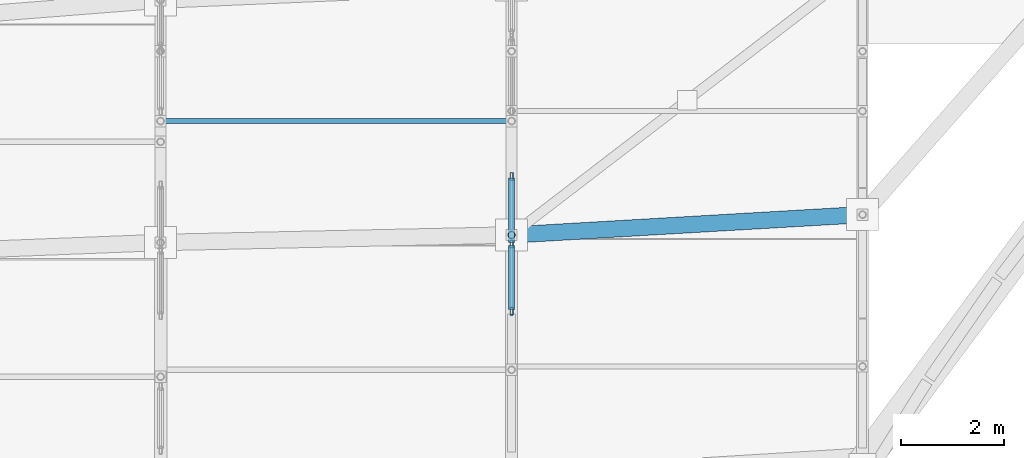
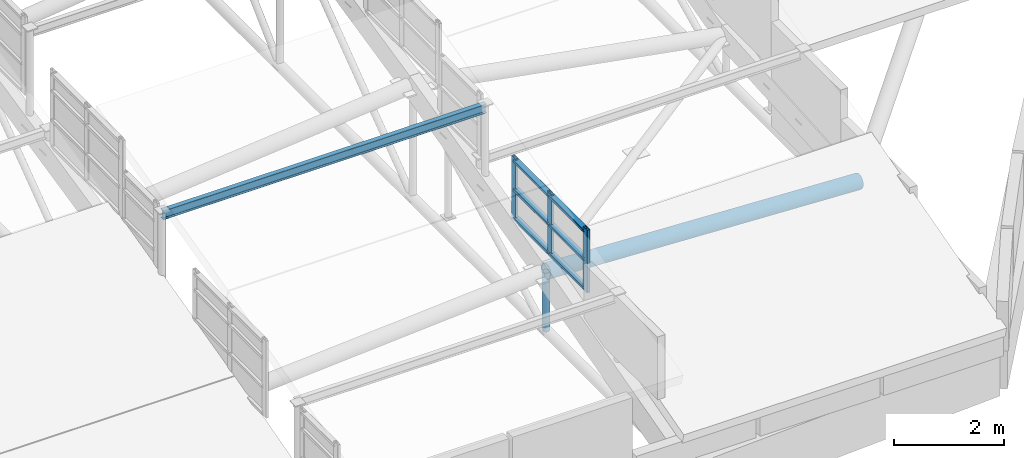
# One storey, part 71 of 188: 12 members, 1 element without a shape of its own.
"""IFC4 building model written with IfcOpenShell, lengths in metres."""

from ifc_helpers import new_model, si_unit, direction, frame, origin, origin_2d, place, context, subcontext, project, spatial, hollow_rectangle, hollow_circle, i_section, extrude, material, layer, layer_set, material_profile, profile_set, type_object, element, aggregate, save


model = new_model("IFC4")

# Units and contexts
model_context = context("Model", 3, precision=1e-05, world=origin(), true_north=direction((0.0, 1.0)))
body_context = subcontext(model_context, "Body", "Model", "MODEL_VIEW")
ifc_project = project(units=[si_unit("LENGTHUNIT", "METRE"), si_unit("AREAUNIT", "SQUARE_METRE"), si_unit("VOLUMEUNIT", "CUBIC_METRE"), si_unit("PLANEANGLEUNIT", "RADIAN"), si_unit("MASSUNIT", "GRAM", prefix="KILO")], contexts=[model_context])

# Site, building, storey
site_placement = place(None, origin())
site = spatial("IfcSite", under=ifc_project, at=site_placement, CompositionType="ELEMENT")
building_placement = place(site_placement, origin())
building = spatial("IfcBuilding", under=site, at=building_placement, Name="Kisaragi Civic Commons", CompositionType="ELEMENT")
storey_placement = place(building_placement, frame((0.0, 0.0, 9.60009765625)))
storey = spatial("IfcBuildingStorey", under=building, at=storey_placement, Name="L02", CompositionType="ELEMENT", Elevation=9.60009765625)

# Curtain wall, members
ifc_material_1 = material(Name="Thermally broken anodized aluminium and low-E double glazing", Category="aluminium")
ifc_layer = layer(ifc_material_1, 0.14990234375, Name="Thermally broken anodized aluminium and low-E double glazing", Category="aluminium")
ifc_layer_set = layer_set([ifc_layer], Name="Thermally broken anodized aluminium and low-E double glazing")
curtain_wall_type = type_object("IfcCurtainWallType", Name="CW-03", PredefinedType="NOTDEFINED", material=ifc_layer_set)
curtain_wall_placement = place(storey_placement, origin())
curtain_wall = element("IfcCurtainWall", 1, at=curtain_wall_placement, inside=storey, type_object=curtain_wall_type, Name="L02 curtain wall CW-03 CW-CL-V2-193", PredefinedType="NOTDEFINED")
ifc_material_profile_1 = material_profile(ifc_material_1, hollow_rectangle(XDim=0.06005859375, YDim=0.14990234375, WallThickness=0.00390625, InnerFilletRadius=0.00390625, OuterFilletRadius=0.008056640625, at=origin_2d()), Name="CWM-60x150x4", Category="aluminium")
ifc_profile_set_1 = profile_set([ifc_material_profile_1], Name="Thermally broken anodized aluminium and low-E double glazing")
member_type_1 = type_object("IfcMemberType", Name="CWM-01", PredefinedType="MULLION", material=ifc_profile_set_1)
member_1_placement = place(storey_placement, frame((20.39990234375, 82.564453125, 1.38671875), z_axis=(0.0, 0.0, 1.0), x_axis=(-1.0, 0.0, 0.0)))
member_1 = element("IfcMember", 2, at=member_1_placement, type_object=member_type_1, Name="CW-03 mullion 1", PredefinedType="MULLION", context=body_context, shape_type="SweptSolid", body=[
    extrude(hollow_rectangle(XDim=0.06005859375, YDim=0.14990234375, WallThickness=0.00390625, InnerFilletRadius=0.00390625, OuterFilletRadius=0.008056640625, at=origin_2d()), origin(), (0.0, 0.0, 1.0), 1.39501953125),
])
member_2_placement = place(storey_placement, frame((20.39990234375, 83.86865234375, 1.38671875), z_axis=(0.0, 0.0, 1.0), x_axis=(-1.0, 0.0, 0.0)))
member_2 = element("IfcMember", 3, at=member_2_placement, type_object=member_type_1, Name="CW-03 mullion 2", PredefinedType="MULLION", context=body_context, shape_type="SweptSolid", body=[
    extrude(hollow_rectangle(XDim=0.06005859375, YDim=0.14990234375, WallThickness=0.00390625, InnerFilletRadius=0.00390625, OuterFilletRadius=0.008056640625, at=origin_2d()), origin(), (0.0, 0.0, 1.0), 1.39501953125),
])
member_3_placement = place(storey_placement, frame((20.39990234375, 85.173095703125, 1.38671875), z_axis=(0.0, 0.0, 1.0), x_axis=(-1.0, 0.0, 0.0)))
member_3 = element("IfcMember", 4, at=member_3_placement, type_object=member_type_1, Name="CW-03 mullion 3", PredefinedType="MULLION", context=body_context, shape_type="SweptSolid", body=[
    extrude(hollow_rectangle(XDim=0.06005859375, YDim=0.14990234375, WallThickness=0.00390625, InnerFilletRadius=0.00390625, OuterFilletRadius=0.008056640625, at=origin_2d()), origin(), (0.0, 0.0, 1.0), 1.39501953125),
])
ifc_material_profile_2 = material_profile(ifc_material_1, hollow_rectangle(XDim=0.1201171875, YDim=0.06005859375, WallThickness=0.00390625, InnerFilletRadius=0.00390625, OuterFilletRadius=0.008056640625, at=origin_2d()), Name="CWT-60x120x4", Category="aluminium")
ifc_profile_set_2 = profile_set([ifc_material_profile_2], Name="Thermally broken anodized aluminium and low-E double glazing")
member_type_2 = type_object("IfcMemberType", Name="CWT-01", PredefinedType="USERDEFINED", material=ifc_profile_set_2)
member_4_placement = place(storey_placement, frame((20.39990234375, 82.594482421875, 1.44677734375), z_axis=(0.0, 1.0, 0.0), x_axis=(-1.0, 0.0, 0.0)))
member_4 = element("IfcMember", 5, at=member_4_placement, type_object=member_type_2, Name="CW-03 transom 1.1", ObjectType="TRANSOM", PredefinedType="USERDEFINED", context=body_context, shape_type="SweptSolid", body=[
    extrude(hollow_rectangle(XDim=0.1201171875, YDim=0.06005859375, WallThickness=0.00390625, InnerFilletRadius=0.00390625, OuterFilletRadius=0.008056640625, at=origin_2d()), origin(), (0.0, 0.0, 1.0), 1.244384765625),
])
member_5_placement = place(storey_placement, frame((20.39990234375, 82.594482421875, 2.084228515625), z_axis=(0.0, 1.0, 0.0), x_axis=(-1.0, 0.0, 0.0)))
member_5 = element("IfcMember", 6, at=member_5_placement, type_object=member_type_2, Name="CW-03 transom 1.2", ObjectType="TRANSOM", PredefinedType="USERDEFINED", context=body_context, shape_type="SweptSolid", body=[
    extrude(hollow_rectangle(XDim=0.1201171875, YDim=0.06005859375, WallThickness=0.00390625, InnerFilletRadius=0.00390625, OuterFilletRadius=0.008056640625, at=origin_2d()), origin(), (0.0, 0.0, 1.0), 1.244384765625),
])
member_6_placement = place(storey_placement, frame((20.39990234375, 82.594482421875, 2.721923828125), z_axis=(0.0, 1.0, 0.0), x_axis=(-1.0, 0.0, 0.0)))
member_6 = element("IfcMember", 7, at=member_6_placement, type_object=member_type_2, Name="CW-03 transom 1.3", ObjectType="TRANSOM", PredefinedType="USERDEFINED", context=body_context, shape_type="SweptSolid", body=[
    extrude(hollow_rectangle(XDim=0.1201171875, YDim=0.06005859375, WallThickness=0.00390625, InnerFilletRadius=0.00390625, OuterFilletRadius=0.008056640625, at=origin_2d()), origin(), (0.0, 0.0, 1.0), 1.244384765625),
])
member_7_placement = place(storey_placement, frame((20.39990234375, 83.898681640625, 1.44677734375), z_axis=(0.0, 1.0, 0.0), x_axis=(-1.0, 0.0, 0.0)))
member_7 = element("IfcMember", 8, at=member_7_placement, type_object=member_type_2, Name="CW-03 transom 2.1", ObjectType="TRANSOM", PredefinedType="USERDEFINED", context=body_context, shape_type="SweptSolid", body=[
    extrude(hollow_rectangle(XDim=0.1201171875, YDim=0.06005859375, WallThickness=0.00390625, InnerFilletRadius=0.00390625, OuterFilletRadius=0.008056640625, at=origin_2d()), origin(), (0.0, 0.0, 1.0), 1.244384765625),
])
member_8_placement = place(storey_placement, frame((20.39990234375, 83.898681640625, 2.084228515625), z_axis=(0.0, 1.0, 0.0), x_axis=(-1.0, 0.0, 0.0)))
member_8 = element("IfcMember", 9, at=member_8_placement, type_object=member_type_2, Name="CW-03 transom 2.2", ObjectType="TRANSOM", PredefinedType="USERDEFINED", context=body_context, shape_type="SweptSolid", body=[
    extrude(hollow_rectangle(XDim=0.1201171875, YDim=0.06005859375, WallThickness=0.00390625, InnerFilletRadius=0.00390625, OuterFilletRadius=0.008056640625, at=origin_2d()), origin(), (0.0, 0.0, 1.0), 1.244384765625),
])
member_9_placement = place(storey_placement, frame((20.39990234375, 83.898681640625, 2.721923828125), z_axis=(0.0, 1.0, 0.0), x_axis=(-1.0, 0.0, 0.0)))
member_9 = element("IfcMember", 10, at=member_9_placement, type_object=member_type_2, Name="CW-03 transom 2.3", ObjectType="TRANSOM", PredefinedType="USERDEFINED", context=body_context, shape_type="SweptSolid", body=[
    extrude(hollow_rectangle(XDim=0.1201171875, YDim=0.06005859375, WallThickness=0.00390625, InnerFilletRadius=0.00390625, OuterFilletRadius=0.008056640625, at=origin_2d()), origin(), (0.0, 0.0, 1.0), 1.244384765625),
])
aggregate(curtain_wall, [member_1, member_2, member_3, member_4, member_5, member_6, member_7, member_8, member_9])

# Members
ifc_material_2 = material(Name="Steel SN490 (SN490B)", Category="steel")
ifc_material_profile_3 = material_profile(ifc_material_2, hollow_circle(Radius=0.1591796875, WallThickness=0.01025390625, at=origin_2d()), Name="CHS-318.5x10.3", Category="steel")
ifc_profile_set_3 = profile_set([ifc_material_profile_3], Name="Steel SN490 (SN490B)")
member_type_3 = type_object("IfcMemberType", Name="GC-03", PredefinedType="CHORD", material=ifc_profile_set_3)
member_10_placement = place(storey_placement, frame((20.39990234375, 84.041748046875, 0.924560546875), z_axis=(0.994206286132, 0.057682740042, -0.090700397554), x_axis=(-0.057921479381, 0.998321141831, 0.0)))
element("IfcMember", 11, at=member_10_placement, inside=storey, type_object=member_type_3, Name="V2 wave gridshell chord GC-03 22", PredefinedType="CHORD", context=body_context, shape_type="SweptSolid", body=[
    extrude(hollow_circle(Radius=0.1591796875, WallThickness=0.01025390625, at=origin_2d()), origin(), (0.0, 0.0, 1.0), 6.839599609375),
])
ifc_material_3 = material(Name="Steel SN400 (SN400B)", Category="steel")
ifc_material_profile_4 = material_profile(ifc_material_3, i_section(OverallWidth=0.10009765625, OverallDepth=0.199951171875, WebThickness=0.005615234375, FlangeThickness=0.008056640625, FilletRadius=0.008056640625, at=origin_2d()), Name="H-200x100x5.5x8", Category="steel")
ifc_profile_set_4 = profile_set([ifc_material_profile_4], Name="Steel SN400 (SN400B)")
member_type_4 = type_object("IfcMemberType", Name="PR-02", PredefinedType="PURLIN", material=ifc_profile_set_4)
member_11_placement = place(storey_placement, frame((13.60009765625, 86.248291015625, 3.232421875), z_axis=(1.0, 0.0, 0.0), x_axis=(0.0, 1.0, 0.0)))
element("IfcMember", 12, at=member_11_placement, inside=storey, type_object=member_type_4, Name="V2 wave vault steel purlin 18", PredefinedType="PURLIN", context=body_context, shape_type="SweptSolid", body=[
    extrude(i_section(OverallWidth=0.10009765625, OverallDepth=0.199951171875, WebThickness=0.005615234375, FlangeThickness=0.008056640625, FilletRadius=0.008056640625, at=origin_2d()), origin(), (0.0, 0.0, 1.0), 6.7998046875),
])
ifc_material_profile_5 = material_profile(ifc_material_2, hollow_circle(Radius=0.06982421875, WallThickness=0.006103515625, at=origin_2d()), Name="CHS-139.8x6.0", Category="steel")
ifc_profile_set_5 = profile_set([ifc_material_profile_5], Name="Steel SN490 (SN490B)")
member_type_5 = type_object("IfcMemberType", Name="ST-H1", PredefinedType="STRUT", material=ifc_profile_set_5)
member_12_placement = place(storey_placement, frame((20.39990234375, 84.041748046875, -0.385009765625), z_axis=(0.0, 0.0, 1.0), x_axis=(1.0, 0.0, 0.0)))
element("IfcMember", 13, at=member_12_placement, inside=storey, type_object=member_type_5, Name="V2 arch tie hanger strut 45", PredefinedType="STRUT", context=body_context, shape_type="SweptSolid", body=[
    extrude(hollow_circle(Radius=0.06982421875, WallThickness=0.006103515625, at=origin_2d()), origin(), (0.0, 0.0, 1.0), 1.3095703125),
])

save(model, "model.ifc")
